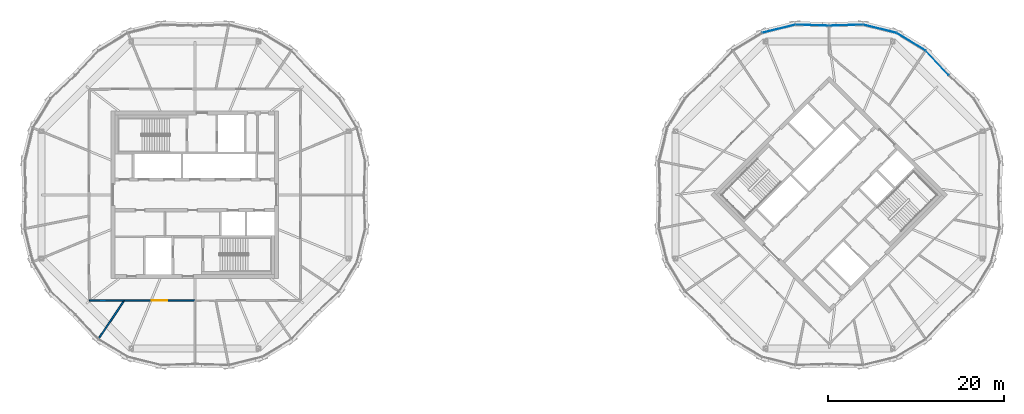
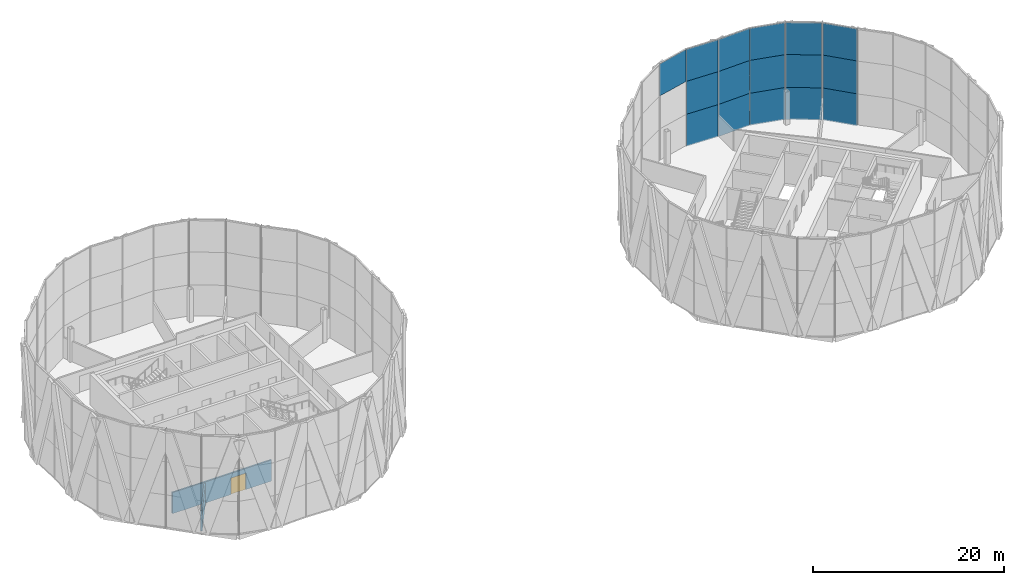
# One storey, part 15 of 23: 16 plates, 3 walls, 1 door, 1 opening, 2 elements without a shape of their own.
"""IFC4 building model written with IfcOpenShell, lengths in metres."""

from ifc_helpers import new_model, si_unit, direction, frame, frame_2d, origin, origin_2d, place, context, subcontext, project, spatial, rectangle, extrude, material, layer, layer_set, type_object, element, fill, aggregate, save


model = new_model("IFC4")

# Units and contexts
model_context = context("Model", 3, precision=1e-05, world=origin(), true_north=direction((0.0, 1.0)))
body_context = subcontext(model_context, "Body", "Model", "MODEL_VIEW")
ifc_project = project(units=[si_unit("LENGTHUNIT", "METRE"), si_unit("AREAUNIT", "SQUARE_METRE"), si_unit("VOLUMEUNIT", "CUBIC_METRE"), si_unit("PLANEANGLEUNIT", "RADIAN"), si_unit("MASSUNIT", "GRAM", prefix="KILO")], contexts=[model_context])

# Site, building, storey
site_placement = place(None, origin())
site = spatial("IfcSite", under=ifc_project, at=site_placement, CompositionType="ELEMENT")
building_placement = place(site_placement, origin())
building = spatial("IfcBuilding", under=site, at=building_placement, Name="Ogive Gate Towers", CompositionType="ELEMENT")
storey_placement = place(building_placement, frame((0.0, 0.0, 256.199951171875)))
storey = spatial("IfcBuildingStorey", under=building, at=storey_placement, Name="L60", CompositionType="ELEMENT", Elevation=256.199951171875)

# Curtain wall, plates
ifc_material_1 = material(Name="Pale metal aluminium", Category="aluminium")
curtain_wall_type = type_object("IfcCurtainWallType", Name="Tower unitised wall, high zone", PredefinedType="NOTDEFINED", material=ifc_material_1)
curtain_wall_1_placement = place(storey_placement, origin())
curtain_wall_1 = element("IfcCurtainWall", 1, at=curtain_wall_1_placement, inside=storey, type_object=curtain_wall_type, Name="CW2 T2 ECW02", PredefinedType="NOTDEFINED")
ifc_material_2 = material(Name="Clear glass", Category="glass")
ifc_layer_1 = layer(ifc_material_2, 0.028076171875)
ifc_layer_set_1 = layer_set([ifc_layer_1], Name="Tower unitised wall, high zone glass panel")
plate_type = type_object("IfcPlateType", Name="Tower unitised wall, high zone glass panel", PredefinedType="CURTAIN_PANEL", material=ifc_layer_set_1)
plate_1_placement = place(storey_placement, frame((48.265869140625, 14.974609375, -0.203857421875), z_axis=(0.0, 0.0, 1.0), x_axis=(-0.68393616645, 0.729541856388, 0.0)))
plate_1 = element("IfcPlate", 2, at=plate_1_placement, type_object=plate_type, Name="CW2 glass panel", PredefinedType="CURTAIN_PANEL", context=body_context, shape_type="SweptSolid", body=[
    extrude(rectangle(XDim=3.7783203125, YDim=0.028076171875, at=origin_2d()), origin(), (0.0, 0.0, 1.0), 4.10400390625),
])
plate_2_placement = place(storey_placement, frame((48.265869140625, 14.974609375, 3.89990234375), z_axis=(0.0, 0.0, 1.0), x_axis=(-0.68393616645, 0.729541856388, 0.0)))
plate_2 = element("IfcPlate", 3, at=plate_2_placement, type_object=plate_type, Name="CW2 glass panel", PredefinedType="CURTAIN_PANEL", context=body_context, shape_type="SweptSolid", body=[
    extrude(rectangle(XDim=3.7783203125, YDim=0.028076171875, at=origin_2d()), origin(), (0.0, 0.0, 1.0), 4.199951171875),
])
plate_3_placement = place(storey_placement, frame((48.265869140625, 14.974609375, 8.10009765625), z_axis=(0.0, 0.0, 1.0), x_axis=(-0.68393616645, 0.729541856388, 0.0)))
plate_3 = element("IfcPlate", 4, at=plate_3_placement, type_object=plate_type, Name="CW2 glass panel", PredefinedType="CURTAIN_PANEL", context=body_context, shape_type="SweptSolid", body=[
    extrude(rectangle(XDim=3.7783203125, YDim=0.028076171875, at=origin_2d()), origin(), (0.0, 0.0, 1.0), 4.10400390625),
])
plate_4_placement = place(storey_placement, frame((45.2841796875, 17.380615234375, -0.203857421875), z_axis=(0.0, 0.0, 1.0), x_axis=(-0.85650139182, 0.51614471402, 0.0)))
plate_4 = element("IfcPlate", 5, at=plate_4_placement, type_object=plate_type, Name="CW2 glass panel", PredefinedType="CURTAIN_PANEL", context=body_context, shape_type="SweptSolid", body=[
    extrude(rectangle(XDim=3.833984375, YDim=0.028076171875, at=origin_2d()), origin(), (0.0, 0.0, 1.0), 4.10400390625),
])
plate_5_placement = place(storey_placement, frame((45.2841796875, 17.380615234375, 3.89990234375), z_axis=(0.0, 0.0, 1.0), x_axis=(-0.85650139182, 0.51614471402, 0.0)))
plate_5 = element("IfcPlate", 6, at=plate_5_placement, type_object=plate_type, Name="CW2 glass panel", PredefinedType="CURTAIN_PANEL", context=body_context, shape_type="SweptSolid", body=[
    extrude(rectangle(XDim=3.833984375, YDim=0.028076171875, at=origin_2d()), origin(), (0.0, 0.0, 1.0), 4.199951171875),
])
plate_6_placement = place(storey_placement, frame((45.2841796875, 17.380615234375, 8.10009765625), z_axis=(0.0, 0.0, 1.0), x_axis=(-0.85650139182, 0.51614471402, 0.0)))
plate_6 = element("IfcPlate", 7, at=plate_6_placement, type_object=plate_type, Name="CW2 glass panel", PredefinedType="CURTAIN_PANEL", context=body_context, shape_type="SweptSolid", body=[
    extrude(rectangle(XDim=3.833984375, YDim=0.028076171875, at=origin_2d()), origin(), (0.0, 0.0, 1.0), 4.10400390625),
])
plate_7_placement = place(storey_placement, frame((41.72509765625, 18.85498046875, -0.203857421875), z_axis=(0.0, 0.0, 1.0), x_axis=(-0.970607369609, 0.240668514894, 0.0)))
plate_7 = element("IfcPlate", 8, at=plate_7_placement, type_object=plate_type, Name="CW2 glass panel", PredefinedType="CURTAIN_PANEL", context=body_context, shape_type="SweptSolid", body=[
    extrude(rectangle(XDim=3.833984375, YDim=0.028076171875, at=origin_2d()), origin(), (0.0, 0.0, 1.0), 4.10400390625),
])
plate_8_placement = place(storey_placement, frame((41.72509765625, 18.85498046875, 3.89990234375), z_axis=(0.0, 0.0, 1.0), x_axis=(-0.970607369609, 0.240668514894, 0.0)))
plate_8 = element("IfcPlate", 9, at=plate_8_placement, type_object=plate_type, Name="CW2 glass panel", PredefinedType="CURTAIN_PANEL", context=body_context, shape_type="SweptSolid", body=[
    extrude(rectangle(XDim=3.833984375, YDim=0.028076171875, at=origin_2d()), origin(), (0.0, 0.0, 1.0), 4.199951171875),
])
plate_9_placement = place(storey_placement, frame((41.72509765625, 18.85498046875, 8.10009765625), z_axis=(0.0, 0.0, 1.0), x_axis=(-0.970607369609, 0.240668514894, 0.0)))
plate_9 = element("IfcPlate", 10, at=plate_9_placement, type_object=plate_type, Name="CW2 glass panel", PredefinedType="CURTAIN_PANEL", context=body_context, shape_type="SweptSolid", body=[
    extrude(rectangle(XDim=3.833984375, YDim=0.028076171875, at=origin_2d()), origin(), (0.0, 0.0, 1.0), 4.10400390625),
])
plate_10_placement = place(storey_placement, frame((37.915283203125, 19.261962890625, -0.203857421875), z_axis=(0.0, 0.0, 1.0), x_axis=(-0.999479895007, -0.032248092615, 0.0)))
plate_10 = element("IfcPlate", 11, at=plate_10_placement, type_object=plate_type, Name="CW2 glass panel", PredefinedType="CURTAIN_PANEL", context=body_context, shape_type="SweptSolid", body=[
    extrude(rectangle(XDim=3.778564453125, YDim=0.028076171875, at=origin_2d()), origin(), (0.0, 0.0, 1.0), 4.10400390625),
])
plate_11_placement = place(storey_placement, frame((37.915283203125, 19.261962890625, 3.89990234375), z_axis=(0.0, 0.0, 1.0), x_axis=(-0.999479895007, -0.032248092615, 0.0)))
plate_11 = element("IfcPlate", 12, at=plate_11_placement, type_object=plate_type, Name="CW2 glass panel", PredefinedType="CURTAIN_PANEL", context=body_context, shape_type="SweptSolid", body=[
    extrude(rectangle(XDim=3.778564453125, YDim=0.028076171875, at=origin_2d()), origin(), (0.0, 0.0, 1.0), 4.199951171875),
])
plate_12_placement = place(storey_placement, frame((37.915283203125, 19.261962890625, 8.10009765625), z_axis=(0.0, 0.0, 1.0), x_axis=(-0.999479895007, -0.032248092615, 0.0)))
plate_12 = element("IfcPlate", 13, at=plate_12_placement, type_object=plate_type, Name="CW2 glass panel", PredefinedType="CURTAIN_PANEL", context=body_context, shape_type="SweptSolid", body=[
    extrude(rectangle(XDim=3.778564453125, YDim=0.028076171875, at=origin_2d()), origin(), (0.0, 0.0, 1.0), 4.10400390625),
])
aggregate(curtain_wall_1, [plate_1, plate_2, plate_3, plate_4, plate_5, plate_6, plate_7, plate_8, plate_9, plate_10, plate_11, plate_12])

curtain_wall_2_placement = place(storey_placement, origin())
curtain_wall_2 = element("IfcCurtainWall", 14, at=curtain_wall_2_placement, inside=storey, type_object=curtain_wall_type, Name="CW2 T2 ECW03", PredefinedType="NOTDEFINED")
plate_13_placement = place(storey_placement, frame((34.084716796875, 19.261962890625, -0.203857421875), z_axis=(0.0, 0.0, 1.0), x_axis=(-0.999479895007, 0.032248092615, 0.0)))
plate_13 = element("IfcPlate", 15, at=plate_13_placement, type_object=plate_type, Name="CW2 glass panel", PredefinedType="CURTAIN_PANEL", context=body_context, shape_type="SweptSolid", body=[
    extrude(rectangle(XDim=3.778564453125, YDim=0.028076171875, at=origin_2d()), origin(), (0.0, 0.0, 1.0), 4.10400390625),
])
plate_14_placement = place(storey_placement, frame((34.084716796875, 19.261962890625, 3.89990234375), z_axis=(0.0, 0.0, 1.0), x_axis=(-0.999479895007, 0.032248092615, 0.0)))
plate_14 = element("IfcPlate", 16, at=plate_14_placement, type_object=plate_type, Name="CW2 glass panel", PredefinedType="CURTAIN_PANEL", context=body_context, shape_type="SweptSolid", body=[
    extrude(rectangle(XDim=3.778564453125, YDim=0.028076171875, at=origin_2d()), origin(), (0.0, 0.0, 1.0), 4.199951171875),
])
plate_15_placement = place(storey_placement, frame((34.084716796875, 19.261962890625, 8.10009765625), z_axis=(0.0, 0.0, 1.0), x_axis=(-0.999479895007, 0.032248092615, 0.0)))
plate_15 = element("IfcPlate", 17, at=plate_15_placement, type_object=plate_type, Name="CW2 glass panel", PredefinedType="CURTAIN_PANEL", context=body_context, shape_type="SweptSolid", body=[
    extrude(rectangle(XDim=3.778564453125, YDim=0.028076171875, at=origin_2d()), origin(), (0.0, 0.0, 1.0), 4.10400390625),
])
plate_16_placement = place(storey_placement, frame((30.27490234375, 18.85498046875, 8.10009765625), z_axis=(0.0, 0.0, 1.0), x_axis=(-0.970607369609, -0.240668514894, 0.0)))
plate_16 = element("IfcPlate", 18, at=plate_16_placement, type_object=plate_type, Name="CW2 glass panel", PredefinedType="CURTAIN_PANEL", context=body_context, shape_type="SweptSolid", body=[
    extrude(rectangle(XDim=3.833984375, YDim=0.028076171875, at=origin_2d()), origin(), (0.0, 0.0, 1.0), 4.10400390625),
])
aggregate(curtain_wall_2, [plate_13, plate_14, plate_15, plate_16])

# Walls
ifc_material_3 = material(Name="Gypsum board acoustic partition")
ifc_layer_2 = layer(ifc_material_3, 0.175048828125)
ifc_layer_set_2 = layer_set([ifc_layer_2], Name="Acoustic partition 175")
wall_type = type_object("IfcWallType", Name="Acoustic partition 175", PredefinedType="PARTITIONING", material=ifc_layer_set_2)
wall_1_placement = place(storey_placement, frame((-46.896484375, -16.291259765625, 0.0), z_axis=(0.0, 0.0, 1.0), x_axis=(0.555968529854, 0.831203340833, 0.0)))
element("IfcWall", 19, at=wall_1_placement, inside=storey, type_object=wall_type, Name="Partition T1-L60-009", PredefinedType="PARTITIONING", context=body_context, shape_type="SweptSolid", body=[
    extrude(rectangle(XDim=5.061279296875, YDim=0.175048828125, at=frame_2d((2.53076171875, 0.0))), origin(), (0.0, 0.0, 1.0), 2.60009765625),
])
wall_2_placement = place(storey_placement, frame((-47.97998046875, -11.97998046875, 0.0), z_axis=(0.0, 0.0, 1.0), x_axis=(0.999968151812, -0.007980937424, 0.0)))
element("IfcWall", 20, at=wall_2_placement, inside=storey, type_object=wall_type, Name="Partition T1-L60-029", PredefinedType="PARTITIONING", context=body_context, shape_type="SweptSolid", body=[
    extrude(rectangle(XDim=3.9462890625, YDim=0.175048828125, at=frame_2d((1.97314453125, 0.0))), origin(), (0.0, 0.0, 1.0), 2.699951171875),
])

# Wall, opening, door
wall_3_placement = place(storey_placement, frame((-44.033935546875, -12.011474609375, 0.0), z_axis=(0.0, 0.0, 1.0), x_axis=(0.999998980027, 0.001428266085, 0.0)))
wall_3 = element("IfcWall", 21, at=wall_3_placement, inside=storey, type_object=wall_type, Name="Partition T1-L60-030", PredefinedType="PARTITIONING", context=body_context, shape_type="SweptSolid", body=[
    extrude(rectangle(XDim=8.033935546875, YDim=0.175048828125, at=frame_2d((4.01708984375, 0.0))), origin(), (0.0, 0.0, 1.0), 2.699951171875),
])
opening_placement = place(wall_3_placement, frame((3.116943359375, 0.0, 0.0)))
opening = element("IfcOpeningElement", 22, at=opening_placement, cuts=wall_3, Name="Opening T1-L60-D13", PredefinedType="OPENING", context=body_context, shape_type="SweptSolid", body=[
    extrude(rectangle(XDim=1.800048828125, YDim=2.10009765625, at=frame_2d((0.89990234375, 1.050048828125))), frame((0.0, 0.09765625, 0.0), z_axis=(0.0, -1.0, 0.0), x_axis=(1.0, 0.0, 0.0)), (0.0, 0.0, 1.0), 0.195068359375),
])
ifc_material_4 = material(Name="Timber door", Category="wood")
door_type = type_object("IfcDoorType", Name="Door pair 1800", OperationType="NOTDEFINED", PredefinedType="DOOR", material=ifc_material_4)
door_placement = place(opening_placement, origin())
door = element("IfcDoor", 23, at=door_placement, inside=storey, type_object=door_type, Name="Door T1-L60-D13", OperationType="DOUBLE_DOOR_DOUBLE_SWING", OverallHeight=2.10009765625, OverallWidth=1.800048828125, PredefinedType="DOOR", context=body_context, shape_type="SweptSolid", body=[
    extrude(rectangle(XDim=1.800048828125, YDim=2.10009765625, at=frame_2d((0.89990234375, 1.050048828125))), frame((0.0, 0.02490234375, 0.0), z_axis=(0.0, -1.0, 0.0), x_axis=(1.0, 0.0, 0.0)), (0.0, 0.0, 1.0), 0.050048828125),
])
fill(opening, door)

save(model, "model.ifc")
